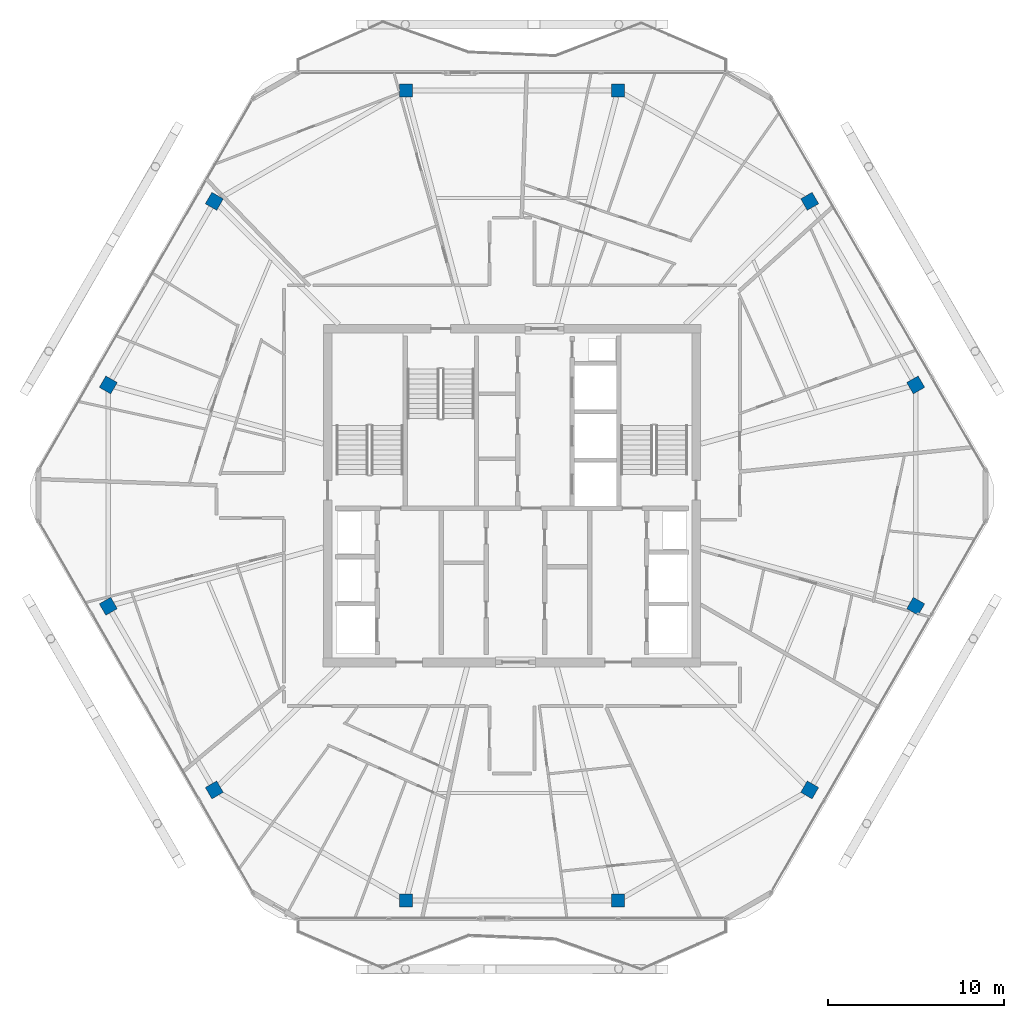
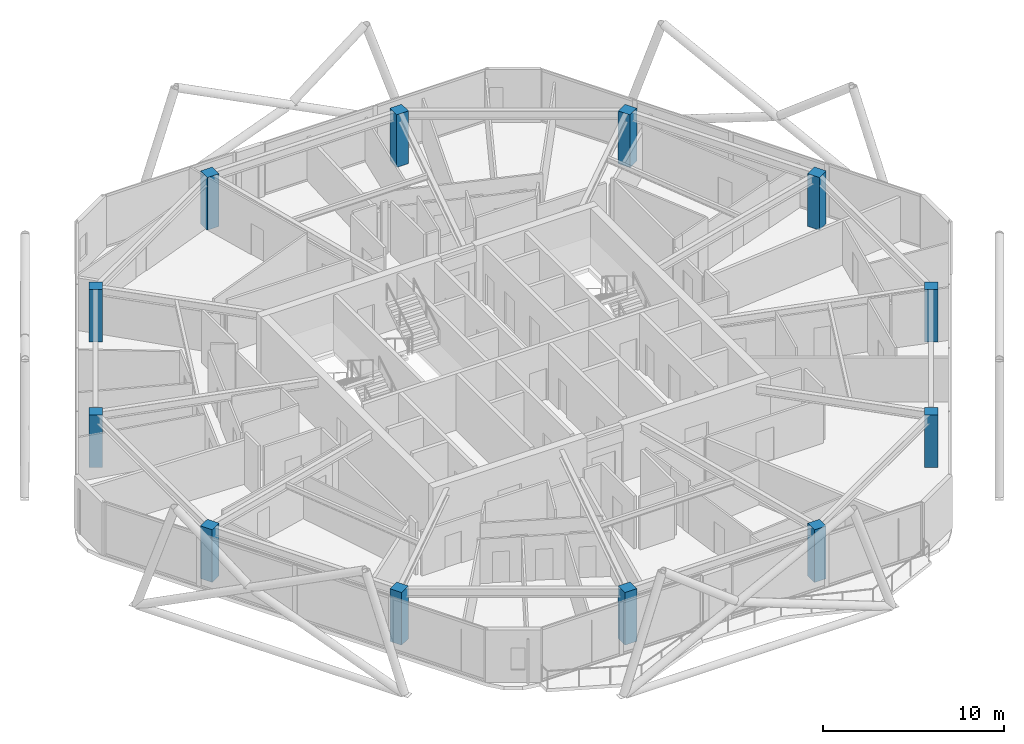
# One storey, part 1 of 23: 12 columns.
"""IFC4 building model written with IfcOpenShell, lengths in metres."""

import ifcopenshell
import ifcopenshell.guid

model = None  # the IFC model being written
_history = None  # IfcOwnerHistory: only IFC2X3 demands one
_inside = {}  # id of a spatial element -> (the spatial element, [elements in it])
_under = {}  # id of a project, library or spatial element -> (it, [spatial elements below it])
_declared = {}  # id of a project -> (the project, [libraries it declares])
_typed = {}  # id of a type object -> (the type object, [elements of that type])
_made_of = {}  # id of a material, layer set ... -> (it, [elements and type objects made of it])


def new_model(schema):
    """Start an empty IFC model of exactly this schema.

    Asked for "IFC4X3", IfcOpenShell would pick the latest addendum, in which some entities
    have other attributes; the version numbers below select the first issue.
    IFC2X3 requires an IfcOwnerHistory on every rooted entity: one is made here for all.
    """
    global model, _history
    if schema == "IFC4X3":
        model = ifcopenshell.file(schema_version=(4, 3, 0, 0))
    else:
        model = ifcopenshell.file(schema=schema)
    _inside.clear()
    _under.clear()
    _declared.clear()
    _typed.clear()
    _made_of.clear()
    _history = None
    if model.schema == "IFC2X3":
        org = make("IfcOrganization", Name="unknown")
        user = make(
            "IfcPersonAndOrganization",
            ThePerson=make("IfcPerson", FamilyName="unknown"),
            TheOrganization=org,
        )
        app = make(
            "IfcApplication",
            ApplicationDeveloper=org,
            Version="unknown",
            ApplicationFullName="unknown",
            ApplicationIdentifier="unknown",
        )
        _history = make(
            "IfcOwnerHistory",
            OwningUser=user,
            OwningApplication=app,
            ChangeAction="ADDED",
            CreationDate=0,
        )
    return model


def make(cls, **values):
    """One entity of the class cls with the attributes given. An attribute that is None is left unset."""
    return model.create_entity(
        cls, **{name: value for name, value in values.items() if value is not None}
    )


def rooted(cls, **values):
    """An entity with a GlobalId (a new one), such as an element, a storey or a relation."""
    return make(cls, GlobalId=ifcopenshell.guid.new(), OwnerHistory=_history, **values)


def si_unit(unit_type, name, prefix=None):
    """IfcSIUnit, for example si_unit("LENGTHUNIT", "METRE", prefix="MILLI")."""
    return make("IfcSIUnit", UnitType=unit_type, Prefix=prefix, Name=name)


def assignment(units):
    """IfcUnitAssignment: the units of a project."""
    return None if units is None else make("IfcUnitAssignment", Units=units)


def point(xyz):
    """IfcCartesianPoint."""
    return None if xyz is None else make("IfcCartesianPoint", Coordinates=xyz)


def direction(xyz):
    """IfcDirection."""
    return None if xyz is None else make("IfcDirection", DirectionRatios=xyz)


def frame(location, z_axis=None, x_axis=None):
    """IfcAxis2Placement3D, a coordinate frame: its origin and axes. An axis left out is left unset."""
    return make(
        "IfcAxis2Placement3D",
        Location=point(location),
        Axis=direction(z_axis),
        RefDirection=direction(x_axis),
    )


def frame_2d(location, x_axis=None):
    """IfcAxis2Placement2D, a coordinate frame in the plane: its origin and x axis."""
    return make(
        "IfcAxis2Placement2D", Location=point(location), RefDirection=direction(x_axis)
    )


def origin():
    """The frame at (0, 0, 0) with its axes left unset."""
    return frame((0.0, 0.0, 0.0))


def origin_2d():
    """The frame at (0, 0) in the plane with its x axis left unset."""
    return frame_2d((0.0, 0.0))


def place(relative_to, where):
    """IfcLocalPlacement: puts the frame where relative to a parent placement (None: the world)."""
    return make(
        "IfcLocalPlacement", PlacementRelTo=relative_to, RelativePlacement=where
    )


def context(
    kind, dimensions, precision=None, world=None, true_north=None, identifier=None
):
    """IfcGeometricRepresentationContext, for example the 3D "Model" context."""
    return make(
        "IfcGeometricRepresentationContext",
        ContextIdentifier=identifier,
        ContextType=kind,
        CoordinateSpaceDimension=dimensions,
        Precision=precision,
        WorldCoordinateSystem=world,
        TrueNorth=true_north,
    )


def subcontext(parent, identifier, kind, view, scale=None):
    """IfcGeometricRepresentationSubContext, for example "Body" below "Model"."""
    return make(
        "IfcGeometricRepresentationSubContext",
        ContextIdentifier=identifier,
        ContextType=kind,
        ParentContext=parent,
        TargetScale=scale,
        TargetView=view,
    )


def project(units=None, contexts=None):
    """IfcProject with its units and contexts."""
    return rooted(
        "IfcProject",
        Name="project",
        RepresentationContexts=contexts,
        UnitsInContext=assignment(units),
    )


def spatial(cls, under=None, at=None, **own):
    """A site, building, storey or space (cls), placed at a placement, below another one or the project."""
    s = rooted(cls, ObjectPlacement=at, **own)
    if under is not None:
        _under.setdefault(under.id(), (under, []))[1].append(s)
    return s


def profile(cls, at=None, kind="AREA", **sizes):
    """A parametric profile (cls). Its sizes go by their IFC names, for example OverallWidth=200.0."""
    return make(cls, ProfileType=kind, Position=at, **sizes)


def rectangle(**sizes):
    """IfcRectangleProfileDef."""
    return profile("IfcRectangleProfileDef", **sizes)


def extrude(swept, where, along, depth):
    """IfcExtrudedAreaSolid: the profile swept, set in the frame where, extruded along a direction by depth."""
    return make(
        "IfcExtrudedAreaSolid",
        SweptArea=swept,
        Position=where,
        ExtrudedDirection=direction(along),
        Depth=depth,
    )


def shape(context_of_items, identifier, shape_type, items):
    """IfcShapeRepresentation: the items that make up one representation, for example the "Body"."""
    return make(
        "IfcShapeRepresentation",
        ContextOfItems=context_of_items,
        RepresentationIdentifier=identifier,
        RepresentationType=shape_type,
        Items=items,
    )


def material(Name=None, Category=None):
    """IfcMaterial."""
    return make("IfcMaterial", Name=Name, Category=Category)


def material_profile(
    of_material, cross_section, Name=None, Category=None, Priority=None
):
    """IfcMaterialProfile: a cross section and its material."""
    return make(
        "IfcMaterialProfile",
        Name=Name,
        Material=of_material,
        Profile=cross_section,
        Priority=Priority,
        Category=Category,
    )


def profile_set(profiles, Name=None, composite=None):
    """IfcMaterialProfileSet."""
    return make(
        "IfcMaterialProfileSet",
        Name=Name,
        MaterialProfiles=profiles,
        CompositeProfile=composite,
    )


def made_of(thing, what):
    """Note that an element or type object is made of a material, layer set ...; save() writes the relation."""
    if what is not None:
        _made_of.setdefault(what.id(), (what, []))[1].append(thing)
    return thing


def type_object(cls, material=None, **own):
    """A type object (cls), such as IfcWallType, which elements share."""
    return made_of(rooted(cls, **own), material)


def element(
    cls,
    number,
    at=None,
    inside=None,
    cuts=None,
    type_object=None,
    material=None,
    context=None,
    identifier="Body",
    shape_type=None,
    held_by="IfcProductDefinitionShape",
    body=None,
    shapes=None,
    **own,
):
    """One element of the class cls, such as IfcWall. Its Tag is "e" and its number.

    at: its placement. inside: the storey or other place that contains it. cuts: it is an
    opening in that element (IfcRelVoidsElement). A single representation is given by context,
    identifier, shape_type and body (its items); several are given by shapes. held_by: the class
    of the entity that holds the representations. save() writes the other relations.
    """
    e = rooted(cls, Tag="e%d" % number, ObjectPlacement=at, **own)
    if body is not None:
        shapes = [shape(context, identifier, shape_type, body)]
    if shapes is not None:
        e.Representation = make(held_by, Representations=shapes)
    if inside is not None:
        _inside.setdefault(inside.id(), (inside, []))[1].append(e)
    if cuts is not None:
        rooted(
            "IfcRelVoidsElement", RelatingBuildingElement=cuts, RelatedOpeningElement=e
        )
    if type_object is not None:
        _typed.setdefault(type_object.id(), (type_object, []))[1].append(e)
    return made_of(e, material)


def aggregate(whole, parts):
    """IfcRelAggregates: a whole, such as a stair, and the parts it consists of."""
    return rooted("IfcRelAggregates", RelatingObject=whole, RelatedObjects=parts)


def save(model, path):
    """Write the relations noted so far, then the file.

    IfcRelAggregates (storeys below a building ...), IfcRelContainedInSpatialStructure (elements
    in a storey), IfcRelDefinesByType, IfcRelAssociatesMaterial and IfcRelDeclares: one each for
    every whole, place, type object, material and project.
    """
    for whole, parts in _under.values():
        aggregate(whole, parts)
    for where, things in _inside.values():
        rooted(
            "IfcRelContainedInSpatialStructure",
            RelatedElements=things,
            RelatingStructure=where,
        )
    for kind, things in _typed.values():
        rooted("IfcRelDefinesByType", RelatedObjects=things, RelatingType=kind)
    for what, things in _made_of.values():
        rooted("IfcRelAssociatesMaterial", RelatedObjects=things, RelatingMaterial=what)
    for by, libraries in _declared.values():
        rooted("IfcRelDeclares", RelatingContext=by, RelatedDefinitions=libraries)
    model.write(path)


model = new_model("IFC4")

# Units and contexts
model_context = context("Model", 3, precision=1e-05, world=origin(), true_north=direction((0.0, 1.0)))
body_context = subcontext(model_context, "Body", "Model", "MODEL_VIEW")
ifc_project = project(units=[si_unit("LENGTHUNIT", "METRE"), si_unit("AREAUNIT", "SQUARE_METRE"), si_unit("VOLUMEUNIT", "CUBIC_METRE"), si_unit("PLANEANGLEUNIT", "RADIAN"), si_unit("MASSUNIT", "GRAM", prefix="KILO")], contexts=[model_context])

# Site, building, storey
site_placement = place(None, origin())
site = spatial("IfcSite", under=ifc_project, at=site_placement, CompositionType="ELEMENT")
building_placement = place(site_placement, origin())
building = spatial("IfcBuilding", under=site, at=building_placement, Name="Zuhravey Tower", CompositionType="ELEMENT")
storey_placement = place(building_placement, frame((0.0, 0.0, 346.199951171875)))
storey = spatial("IfcBuildingStorey", under=building, at=storey_placement, Name="L88", CompositionType="ELEMENT", Elevation=346.199951171875)

# Columns
ifc_material = material(Name="Concrete C50/60", Category="concrete")
ifc_material_profile = material_profile(ifc_material, rectangle(XDim=0.75, YDim=0.75, at=origin_2d()), Name="RC-750x750")
ifc_profile_set = profile_set([ifc_material_profile], Name="Concrete C50/60")
column_type = type_object("IfcColumnType", Name="Zone 4 Upper Column 750x750", PredefinedType="COLUMN", material=ifc_profile_set)
for number, where, z_axis, x_axis, name in (
    (1, (58.993408203125, 38.302490234375, 0.0), (0.0, 0.0, 1.0), (-0.5, 0.866025403784, 0.0), "L88 Perimeter Column PC01"),
    (2, (52.95458984375, 48.76171875, 0.0), (0.0, 0.0, 1.0), (-0.5, 0.866025403784, 0.0), "L88 Perimeter Column PC02"),
    (3, (42.038818359375, 55.064208984375, 0.0), (0.0, 0.0, 1.0), (-1.0, 0.0, 0.0), "L88 Perimeter Column PC03"),
    (4, (29.961181640625, 55.064208984375, 0.0), (0.0, 0.0, 1.0), (-1.0, 0.0, 0.0), "L88 Perimeter Column PC04"),
    (5, (19.04541015625, 48.76171875, 0.0), (0.0, 0.0, 1.0), (-0.5, -0.866025403784, 0.0), "L88 Perimeter Column PC05"),
    (6, (13.006591796875, 38.302490234375, 0.0), (0.0, 0.0, 1.0), (-0.5, -0.866025403784, 0.0), "L88 Perimeter Column PC06"),
    (7, (13.006591796875, 25.697509765625, 0.0), (0.0, 0.0, 1.0), (0.5, -0.866025403784, 0.0), "L88 Perimeter Column PC07"),
    (8, (19.04541015625, 15.23828125, 0.0), (0.0, 0.0, 1.0), (0.5, -0.866025403784, 0.0), "L88 Perimeter Column PC08"),
    (9, (29.961181640625, 8.935791015625, 0.0), (0.0, 0.0, 1.0), (1.0, 0.0, 0.0), "L88 Perimeter Column PC09"),
    (10, (42.038818359375, 8.935791015625, 0.0), (0.0, 0.0, 1.0), (1.0, 0.0, 0.0), "L88 Perimeter Column PC10"),
    (11, (52.95458984375, 15.23828125, 0.0), (0.0, 0.0, 1.0), (0.5, 0.866025403784, 0.0), "L88 Perimeter Column PC11"),
    (12, (58.993408203125, 25.697509765625, 0.0), (0.0, 0.0, 1.0), (0.5, 0.866025403784, 0.0), "L88 Perimeter Column PC12"),
):
    element("IfcColumn", number, at=place(storey_placement, frame(where, z_axis=z_axis, x_axis=x_axis)), inside=storey, type_object=column_type, Name=name, PredefinedType="COLUMN", context=body_context, shape_type="SweptSolid", body=[
        extrude(rectangle(XDim=0.75, YDim=0.75, at=origin_2d()), origin(), (0.0, 0.0, 1.0), 3.550048828125),
    ])

save(model, "model.ifc")
